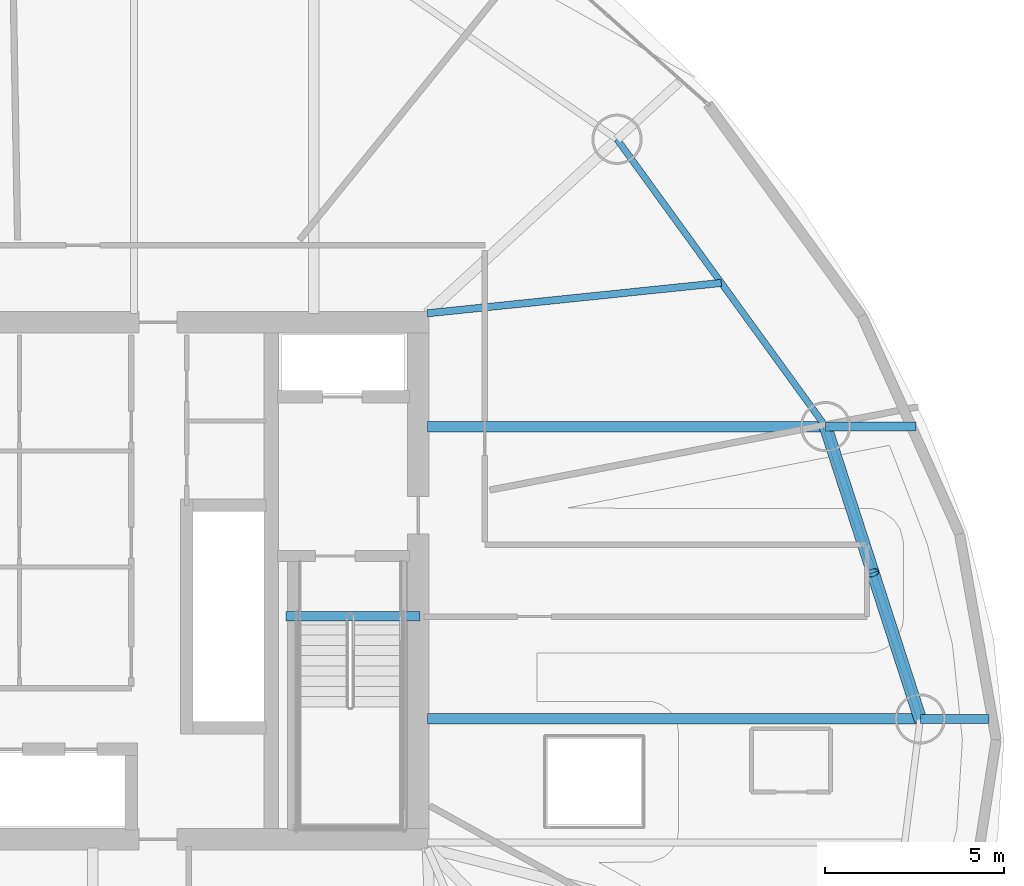
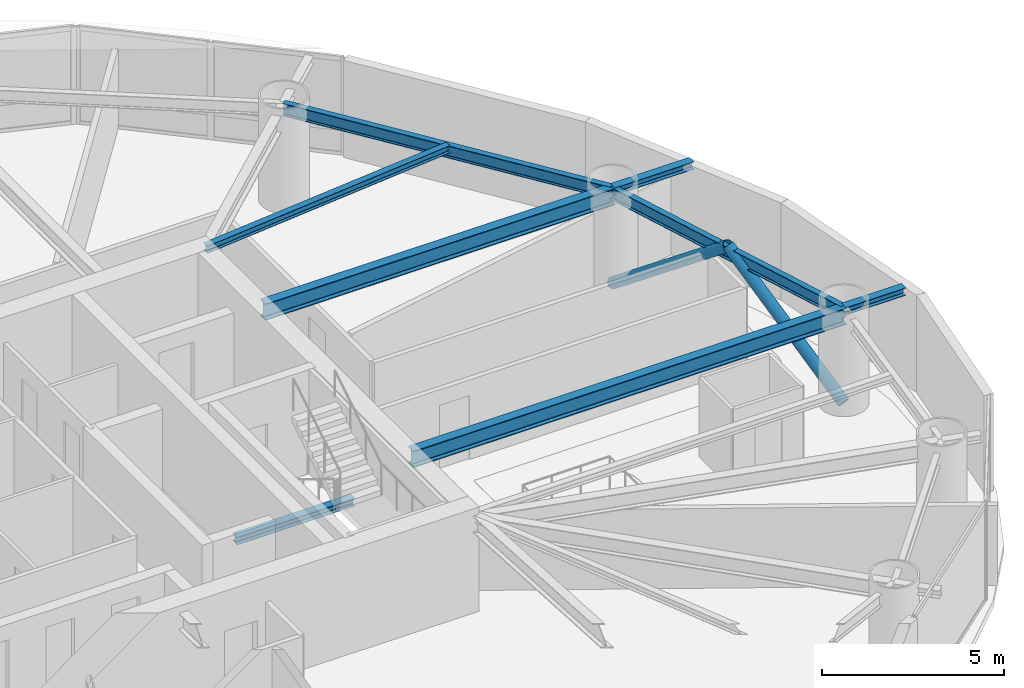
# One storey, part 6 of 20: 8 beams, 2 members.
"""IFC4 building model written with IfcOpenShell, lengths in metres."""

from ifc_helpers import new_model, si_unit, direction, frame, origin, origin_2d, place, context, subcontext, project, spatial, hollow_circle, i_section, extrude, material, material_profile, profile_set, type_object, element, save


model = new_model("IFC4")

# Units and contexts
model_context = context("Model", 3, precision=1e-05, world=origin(), true_north=direction((0.0, 1.0)))
body_context = subcontext(model_context, "Body", "Model", "MODEL_VIEW")
ifc_project = project(units=[si_unit("LENGTHUNIT", "METRE"), si_unit("AREAUNIT", "SQUARE_METRE"), si_unit("VOLUMEUNIT", "CUBIC_METRE"), si_unit("PLANEANGLEUNIT", "RADIAN"), si_unit("MASSUNIT", "GRAM", prefix="KILO")], contexts=[model_context])

# Site, building, storey
site_placement = place(None, origin())
site = spatial("IfcSite", under=ifc_project, at=site_placement, CompositionType="ELEMENT")
building_placement = place(site_placement, origin())
building = spatial("IfcBuilding", under=site, at=building_placement, Name="Bramvorn Convention Spire", CompositionType="ELEMENT")
storey_placement = place(building_placement, frame((0.0, 0.0, 113.300048828125)))
storey = spatial("IfcBuildingStorey", under=building, at=storey_placement, Name="L27", CompositionType="ELEMENT", Elevation=113.300048828125)

# Beams
ifc_material = material(Name="Steel CSA G40.21 Grade 350 (350W)", Category="steel")
ifc_material_profile_1 = material_profile(ifc_material, i_section(OverallWidth=0.201904296875, OverallDepth=0.2470703125, WebThickness=0.00732421875, FlangeThickness=0.010986328125, FilletRadius=0.011962890625, at=origin_2d()))
ifc_profile_set_1 = profile_set([ifc_material_profile_1], Name="Steel CSA G40.21 Grade 350 (350W) - W250X49")
beam_type_1 = type_object("IfcBeamType", Name="BM-W250X49", PredefinedType="JOIST", material=ifc_profile_set_1)
beam_1_placement = place(storey_placement, frame((49.25, 33.449951171875, 3.136474609375), z_axis=(0.994705076194, 0.102770673804, 0.0), x_axis=(-0.102770673804, 0.994705076194, 0.0)))
element("IfcBeam", 1, at=beam_1_placement, inside=storey, type_object=beam_type_1, Name="L27 composite floor joist 03", PredefinedType="JOIST", context=body_context, shape_type="SweptSolid", body=[
    extrude(i_section(OverallWidth=0.201904296875, OverallDepth=0.2470703125, WebThickness=0.00732421875, FlangeThickness=0.010986328125, FilletRadius=0.011962890625, at=origin_2d()), origin(), (0.0, 0.0, 1.0), 8.23388671875),
])
ifc_material_profile_2 = material_profile(ifc_material, i_section(OverallWidth=0.25390625, OverallDepth=0.2529296875, WebThickness=0.008544921875, FlangeThickness=0.01416015625, FilletRadius=0.011962890625, at=origin_2d()))
ifc_profile_set_2 = profile_set([ifc_material_profile_2], Name="Steel CSA G40.21 Grade 350 (350W) - W250X73")
beam_type_2 = type_object("IfcBeamType", Name="BM-W250X73", PredefinedType="BEAM", material=ifc_profile_set_2)
beam_2_placement = place(storey_placement, frame((62.983642578125, 22.148193359375, 3.133544921875), z_axis=(1.0, 0.0, 0.0), x_axis=(0.0, 1.0, 0.0)))
element("IfcBeam", 2, at=beam_2_placement, inside=storey, type_object=beam_type_2, Name="L27 slab-edge cantilever tip beam MC02", PredefinedType="BEAM", context=body_context, shape_type="SweptSolid", body=[
    extrude(i_section(OverallWidth=0.25390625, OverallDepth=0.2529296875, WebThickness=0.008544921875, FlangeThickness=0.01416015625, FilletRadius=0.011962890625, at=origin_2d()), origin(), (0.0, 0.0, 1.0), 1.90966796875),
])
beam_3_placement = place(storey_placement, frame((60.345703125, 30.293212890625, 3.133544921875), z_axis=(1.0, 0.0, 0.0), x_axis=(0.0, 1.0, 0.0)))
element("IfcBeam", 3, at=beam_3_placement, inside=storey, type_object=beam_type_2, Name="L27 slab-edge cantilever tip beam MC03", PredefinedType="BEAM", context=body_context, shape_type="SweptSolid", body=[
    extrude(i_section(OverallWidth=0.25390625, OverallDepth=0.2529296875, WebThickness=0.008544921875, FlangeThickness=0.01416015625, FilletRadius=0.011962890625, at=origin_2d()), origin(), (0.0, 0.0, 1.0), 2.519287109375),
])
beam_4_placement = place(storey_placement, frame((45.31005859375, 25.010009765625, -0.12646484375), z_axis=(1.0, 0.0, 0.0), x_axis=(0.0, 1.0, 0.0)))
element("IfcBeam", 4, at=beam_4_placement, inside=storey, type_object=beam_type_2, Name="L27 ST2 stair arrival header beam", PredefinedType="BEAM", context=body_context, shape_type="SweptSolid", body=[
    extrude(i_section(OverallWidth=0.25390625, OverallDepth=0.2529296875, WebThickness=0.008544921875, FlangeThickness=0.01416015625, FilletRadius=0.011962890625, at=origin_2d()), origin(), (0.0, 0.0, 1.0), 3.739990234375),
])
ifc_material_profile_3 = material_profile(ifc_material, i_section(OverallWidth=0.180908203125, OverallDepth=0.4169921875, WebThickness=0.010986328125, FlangeThickness=0.018310546875, FilletRadius=0.01611328125, at=origin_2d()))
ifc_profile_set_3 = profile_set([ifc_material_profile_3], Name="Steel CSA G40.21 Grade 350 (350W) - W410X85")
beam_type_3 = type_object("IfcBeamType", Name="BM-W410X85", PredefinedType="JOIST", material=ifc_profile_set_3)
beam_5_placement = place(storey_placement, frame((62.983642578125, 22.148193359375, 3.051513671875), z_axis=(-0.308114853612, 0.951349166701, 0.0), x_axis=(-0.951349166701, -0.308114853612, 0.0)))
element("IfcBeam", 5, at=beam_5_placement, inside=storey, type_object=beam_type_3, Name="L27 mega-column ring beam 02", PredefinedType="JOIST", context=body_context, shape_type="SweptSolid", body=[
    extrude(i_section(OverallWidth=0.180908203125, OverallDepth=0.4169921875, WebThickness=0.010986328125, FlangeThickness=0.018310546875, FilletRadius=0.01611328125, at=origin_2d()), origin(), (0.0, 0.0, 1.0), 8.5615234375),
])
beam_6_placement = place(storey_placement, frame((60.345703125, 30.293212890625, 3.051513671875), z_axis=(-0.587401024629, 0.809296012757, 0.0), x_axis=(-0.809296012757, -0.587401024629, 0.0)))
element("IfcBeam", 6, at=beam_6_placement, inside=storey, type_object=beam_type_3, Name="L27 mega-column ring beam 03", PredefinedType="JOIST", context=body_context, shape_type="SweptSolid", body=[
    extrude(i_section(OverallWidth=0.180908203125, OverallDepth=0.4169921875, WebThickness=0.010986328125, FlangeThickness=0.018310546875, FilletRadius=0.01611328125, at=origin_2d()), origin(), (0.0, 0.0, 1.0), 9.892333984375),
])
ifc_material_profile_4 = material_profile(ifc_material, i_section(OverallWidth=0.2919921875, OverallDepth=0.551025390625, WebThickness=0.01513671875, FlangeThickness=0.0244140625, FilletRadius=0.01904296875, at=origin_2d()))
ifc_profile_set_4 = profile_set([ifc_material_profile_4], Name="Steel CSA G40.21 Grade 350 (350W) - W530X182")
beam_type_4 = type_object("IfcBeamType", Name="BM-W530X182", PredefinedType="BEAM", material=ifc_profile_set_4)
beam_7_placement = place(storey_placement, frame((49.25, 22.148193359375, 2.984375), z_axis=(1.0, 0.0, 0.0), x_axis=(0.0, 1.0, 0.0)))
element("IfcBeam", 7, at=beam_7_placement, inside=storey, type_object=beam_type_4, Name="L27 radial floor girder MC02", PredefinedType="BEAM", context=body_context, shape_type="SweptSolid", body=[
    extrude(i_section(OverallWidth=0.2919921875, OverallDepth=0.551025390625, WebThickness=0.01513671875, FlangeThickness=0.0244140625, FilletRadius=0.01904296875, at=origin_2d()), origin(), (0.0, 0.0, 1.0), 13.733642578125),
])
beam_8_placement = place(storey_placement, frame((49.25, 30.293212890625, 2.984375), z_axis=(1.0, 0.0, 0.0), x_axis=(0.0, 1.0, 0.0)))
element("IfcBeam", 8, at=beam_8_placement, inside=storey, type_object=beam_type_4, Name="L27 radial floor girder MC03", PredefinedType="BEAM", context=body_context, shape_type="SweptSolid", body=[
    extrude(i_section(OverallWidth=0.2919921875, OverallDepth=0.551025390625, WebThickness=0.01513671875, FlangeThickness=0.0244140625, FilletRadius=0.01904296875, at=origin_2d()), origin(), (0.0, 0.0, 1.0), 11.095703125),
])

# Members
ifc_material_profile_5 = material_profile(ifc_material, hollow_circle(Radius=0.177734375, WallThickness=0.015869140625, at=origin_2d()))
ifc_profile_set_5 = profile_set([ifc_material_profile_5], Name="Steel CSA G40.21 Grade 350 (350W) - CHS356X16")
member_type = type_object("IfcMemberType", Name="MBR-CHS356X16", PredefinedType="BRACE", material=ifc_profile_set_5)
for number, where, z_axis, x_axis, name in (
    (9, (62.983642578125, 22.148193359375, 0.0), (-0.245105274589, 0.75686802766, 0.605866481227), (-0.951357525158, -0.308089044476, 0.0), "L27 perimeter Gothic lancet brace 2A"),
    (10, (60.345703125, 30.293212890625, 0.0), (0.245147921079, -0.756859609759, 0.605859742768), (0.951340807692, 0.308140662068, 0.0), "L27 perimeter Gothic lancet brace 2B"),
):
    element("IfcMember", number, at=place(storey_placement, frame(where, z_axis=z_axis, x_axis=x_axis)), inside=storey, type_object=member_type, Name=name, PredefinedType="BRACE", context=body_context, shape_type="SweptSolid", body=[
        extrude(hollow_circle(Radius=0.177734375, WallThickness=0.015869140625, at=origin_2d()), origin(), (0.0, 0.0, 1.0), 5.380859375),
    ])

save(model, "model.ifc")
